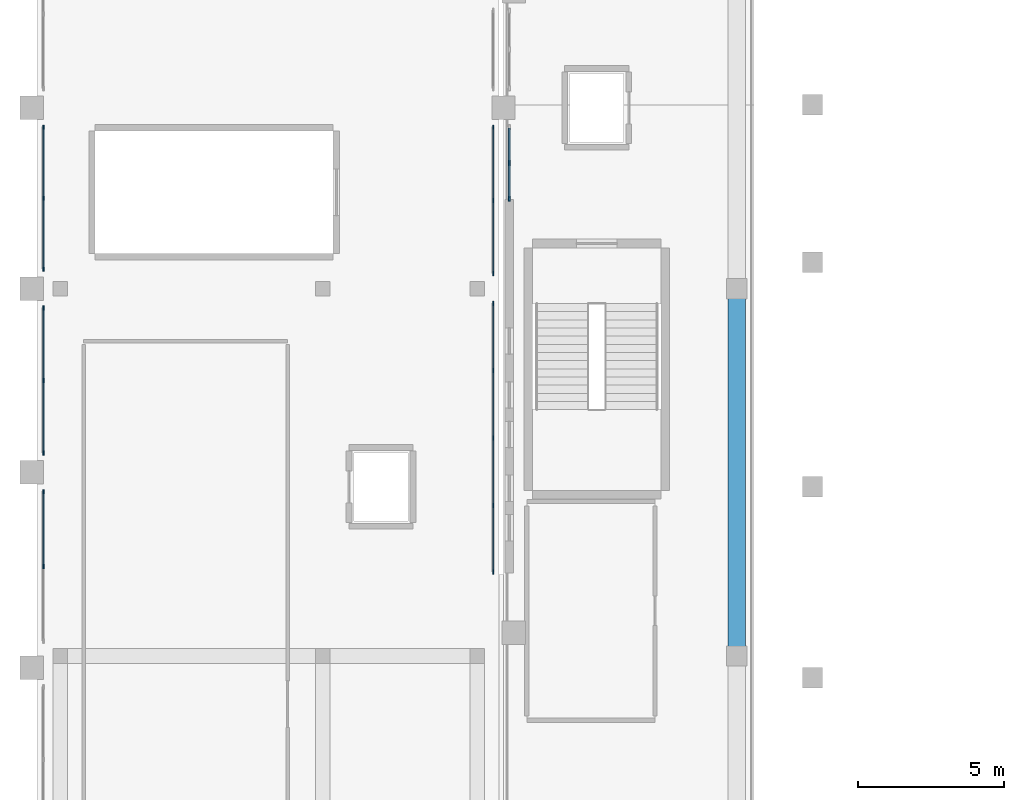
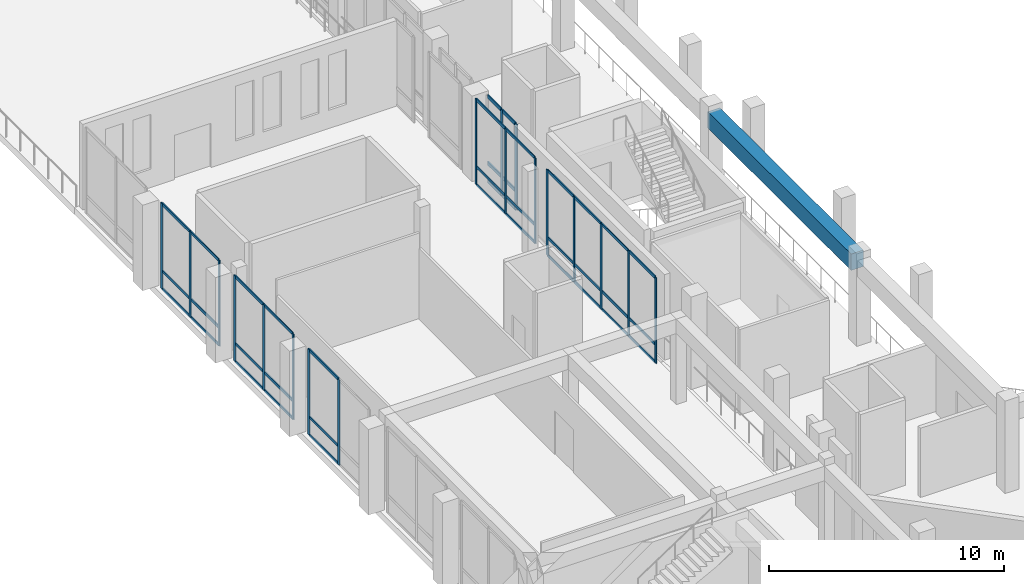
# One storey, part 12 of 79: 57 members, 1 beam, 6 elements without a shape of their own.
"""IFC4 building model written with IfcOpenShell, lengths in metres."""

from ifc_helpers import new_model, si_unit, derived_unit, direction, frame, origin, origin_2d, place, context, subcontext, project, spatial, rectangle, extrude, material, layer, layer_set, material_profile, profile_set, type_object, element, aggregate, save


model = new_model("IFC4")

# Units and contexts
model_context = context("Model", 3, precision=1e-05, world=origin(), true_north=direction((0.0, 1.0)))
body_context = subcontext(model_context, "Body", "Model", "MODEL_VIEW")
ifc_project = project(units=[si_unit("LENGTHUNIT", "METRE"), si_unit("AREAUNIT", "SQUARE_METRE"), si_unit("VOLUMEUNIT", "CUBIC_METRE"), si_unit("PLANEANGLEUNIT", "RADIAN"), si_unit("MASSUNIT", "GRAM", prefix="KILO"), derived_unit("THERMALTRANSMITTANCEUNIT", [(si_unit("MASSUNIT", "GRAM", prefix="KILO"), 1), (si_unit("TIMEUNIT", "SECOND"), -3), (si_unit("THERMODYNAMICTEMPERATUREUNIT", "KELVIN"), -1)])], contexts=[model_context])

# Site, building, storey
site_placement = place(None, origin())
site = spatial("IfcSite", under=ifc_project, at=site_placement, CompositionType="ELEMENT")
building_placement = place(site_placement, origin())
building = spatial("IfcBuilding", under=site, at=building_placement, Name="Valcora Ridge Arena", CompositionType="ELEMENT")
storey_placement = place(building_placement, frame((0.0, 0.0, 16.199951171875)))
storey = spatial("IfcBuildingStorey", under=building, at=storey_placement, Name="L03", CompositionType="ELEMENT", Elevation=16.199951171875)

# Beam
ifc_material_1 = material(Name="Concrete C40/50", Category="concrete")
ifc_material_profile_1 = material_profile(ifc_material_1, rectangle(XDim=0.60009765625, YDim=0.85009765625, at=origin_2d()), Name="RC 600x850")
ifc_profile_set_1 = profile_set([ifc_material_profile_1], Name="Concrete C40/50")
beam_type = type_object("IfcBeamType", Name="TY-BEAM-B-RC600-Y", PredefinedType="BEAM", material=ifc_profile_set_1)
beam_placement = place(storey_placement, frame((24.0, 45.39990234375, 4.01513671875), z_axis=(0.0, 1.0, 0.0), x_axis=(-1.0, 0.0, 0.0)))
element("IfcBeam", 1, at=beam_placement, inside=storey, type_object=beam_type, Name="B-RC600-Y BEM-B-RC600-Y-0022", PredefinedType="BEAM", context=body_context, shape_type="SweptSolid", body=[
    extrude(rectangle(XDim=0.60009765625, YDim=0.85009765625, at=origin_2d()), origin(), (0.0, 0.0, 1.0), 12.2001953125),
])

# Curtain wall, members
ifc_material_2 = material(Name="Anodised dark bronze architectural aluminium 6063-T6", Category="aluminium")
ifc_layer_1 = layer(ifc_material_2, 0.14990234375, Name="Anodised dark bronze architectural aluminium 6063-T6")
ifc_layer_set_1 = layer_set([ifc_layer_1], Name="Anodised dark bronze architectural aluminium 6063-T6")
curtain_wall_type_1 = type_object("IfcCurtainWallType", Name="TY-CURTAINWALL-CW-V4-CLUB-052X44", PredefinedType="NOTDEFINED", material=ifc_layer_set_1)
curtain_wall_1_placement = place(storey_placement, origin())
curtain_wall_1 = element("IfcCurtainWall", 2, at=curtain_wall_1_placement, inside=storey, type_object=curtain_wall_type_1, Name="CW-V4-CLUB-052X44 CW-0289", PredefinedType="NOTDEFINED")
ifc_material_profile_2 = material_profile(ifc_material_2, rectangle(XDim=0.050048828125, YDim=0.14990234375, at=origin_2d()), Name="ALU MULLION 50x150")
ifc_profile_set_2 = profile_set([ifc_material_profile_2], Name="Anodised dark bronze architectural aluminium 6063-T6")
member_type_1 = type_object("IfcMemberType", Name="TY-MEM-CWM-50x150", PredefinedType="MULLION", material=ifc_profile_set_2)
member_1_placement = place(storey_placement, frame((0.219970703125, 48.27490234375, 0.0), z_axis=(0.0, 0.0, 1.0), x_axis=(-1.0, 0.0, 0.0)))
member_1 = element("IfcMember", 3, at=member_1_placement, type_object=member_type_1, Name="CW-0289/CWM-50x150/M01", PredefinedType="MULLION", context=body_context, shape_type="SweptSolid", body=[
    extrude(rectangle(XDim=0.050048828125, YDim=0.14990234375, at=origin_2d()), origin(), (0.0, 0.0, 1.0), 4.43994140625),
])
member_2_placement = place(storey_placement, frame((0.219970703125, 50.8349609375, 0.0), z_axis=(0.0, 0.0, 1.0), x_axis=(-1.0, 0.0, 0.0)))
member_2 = element("IfcMember", 4, at=member_2_placement, type_object=member_type_1, Name="CW-0289/CWM-50x150/M02", PredefinedType="MULLION", context=body_context, shape_type="SweptSolid", body=[
    extrude(rectangle(XDim=0.050048828125, YDim=0.14990234375, at=origin_2d()), origin(), (0.0, 0.0, 1.0), 4.43994140625),
])

ifc_layer_2 = layer(ifc_material_2, 0.14990234375, Name="Anodised dark bronze architectural aluminium 6063-T6")
ifc_layer_set_2 = layer_set([ifc_layer_2], Name="Anodised dark bronze architectural aluminium 6063-T6")
curtain_wall_type_2 = type_object("IfcCurtainWallType", Name="TY-CURTAINWALL-CW-V4-CLUB-050X44", PredefinedType="NOTDEFINED", material=ifc_layer_set_2)
curtain_wall_2_placement = place(storey_placement, origin())
curtain_wall_2 = element("IfcCurtainWall", 5, at=curtain_wall_2_placement, inside=storey, type_object=curtain_wall_type_2, Name="CW-V4-CLUB-050X44 CW-0290", PredefinedType="NOTDEFINED")
member_3_placement = place(storey_placement, frame((0.219970703125, 52.1650390625, 0.0), z_axis=(0.0, 0.0, 1.0), x_axis=(-1.0, 0.0, 0.0)))
member_3 = element("IfcMember", 6, at=member_3_placement, type_object=member_type_1, Name="CW-0290/CWM-50x150/M00", PredefinedType="MULLION", context=body_context, shape_type="SweptSolid", body=[
    extrude(rectangle(XDim=0.050048828125, YDim=0.14990234375, at=origin_2d()), origin(), (0.0, 0.0, 1.0), 4.43994140625),
])
member_4_placement = place(storey_placement, frame((0.219970703125, 54.64990234375, 0.0), z_axis=(0.0, 0.0, 1.0), x_axis=(-1.0, 0.0, 0.0)))
member_4 = element("IfcMember", 7, at=member_4_placement, type_object=member_type_1, Name="CW-0290/CWM-50x150/M01", PredefinedType="MULLION", context=body_context, shape_type="SweptSolid", body=[
    extrude(rectangle(XDim=0.050048828125, YDim=0.14990234375, at=origin_2d()), origin(), (0.0, 0.0, 1.0), 4.43994140625),
])
member_5_placement = place(storey_placement, frame((0.219970703125, 57.135009765625, 0.0), z_axis=(0.0, 0.0, 1.0), x_axis=(-1.0, 0.0, 0.0)))
member_5 = element("IfcMember", 8, at=member_5_placement, type_object=member_type_1, Name="CW-0290/CWM-50x150/M02", PredefinedType="MULLION", context=body_context, shape_type="SweptSolid", body=[
    extrude(rectangle(XDim=0.050048828125, YDim=0.14990234375, at=origin_2d()), origin(), (0.0, 0.0, 1.0), 4.43994140625),
])

ifc_layer_3 = layer(ifc_material_2, 0.14990234375, Name="Anodised dark bronze architectural aluminium 6063-T6")
ifc_layer_set_3 = layer_set([ifc_layer_3], Name="Anodised dark bronze architectural aluminium 6063-T6")
curtain_wall_type_3 = type_object("IfcCurtainWallType", Name="TY-CURTAINWALL-CW-V4-CLUB-049X44", PredefinedType="NOTDEFINED", material=ifc_layer_set_3)
curtain_wall_3_placement = place(storey_placement, origin())
curtain_wall_3 = element("IfcCurtainWall", 9, at=curtain_wall_3_placement, inside=storey, type_object=curtain_wall_type_3, Name="CW-V4-CLUB-049X44 CW-0291", PredefinedType="NOTDEFINED")
member_6_placement = place(storey_placement, frame((0.219970703125, 58.465087890625, 0.0), z_axis=(0.0, 0.0, 1.0), x_axis=(-1.0, 0.0, 0.0)))
member_6 = element("IfcMember", 10, at=member_6_placement, type_object=member_type_1, Name="CW-0291/CWM-50x150/M00", PredefinedType="MULLION", context=body_context, shape_type="SweptSolid", body=[
    extrude(rectangle(XDim=0.050048828125, YDim=0.14990234375, at=origin_2d()), origin(), (0.0, 0.0, 1.0), 4.43994140625),
])
member_7_placement = place(storey_placement, frame((0.219970703125, 60.89990234375, 0.0), z_axis=(0.0, 0.0, 1.0), x_axis=(-1.0, 0.0, 0.0)))
member_7 = element("IfcMember", 11, at=member_7_placement, type_object=member_type_1, Name="CW-0291/CWM-50x150/M01", PredefinedType="MULLION", context=body_context, shape_type="SweptSolid", body=[
    extrude(rectangle(XDim=0.050048828125, YDim=0.14990234375, at=origin_2d()), origin(), (0.0, 0.0, 1.0), 4.43994140625),
])
member_8_placement = place(storey_placement, frame((0.219970703125, 63.3349609375, 0.0), z_axis=(0.0, 0.0, 1.0), x_axis=(-1.0, 0.0, 0.0)))
member_8 = element("IfcMember", 12, at=member_8_placement, type_object=member_type_1, Name="CW-0291/CWM-50x150/M02", PredefinedType="MULLION", context=body_context, shape_type="SweptSolid", body=[
    extrude(rectangle(XDim=0.050048828125, YDim=0.14990234375, at=origin_2d()), origin(), (0.0, 0.0, 1.0), 4.43994140625),
])

ifc_layer_4 = layer(ifc_material_2, 0.14990234375, Name="Anodised dark bronze architectural aluminium 6063-T6")
ifc_layer_set_4 = layer_set([ifc_layer_4], Name="Anodised dark bronze architectural aluminium 6063-T6")
curtain_wall_type_4 = type_object("IfcCurtainWallType", Name="TY-CURTAINWALL-CW-V4-CLUB-093X44", PredefinedType="NOTDEFINED", material=ifc_layer_set_4)
curtain_wall_4_placement = place(storey_placement, origin())
curtain_wall_4 = element("IfcCurtainWall", 13, at=curtain_wall_4_placement, inside=storey, type_object=curtain_wall_type_4, Name="CW-V4-CLUB-093X44 CW-0293", PredefinedType="NOTDEFINED")
member_9_placement = place(storey_placement, frame((15.64990234375, 48.074951171875, 0.0), z_axis=(0.0, 0.0, 1.0), x_axis=(-1.0, 0.0, 0.0)))
member_9 = element("IfcMember", 14, at=member_9_placement, type_object=member_type_1, Name="CW-0293/CWM-50x150/M00", PredefinedType="MULLION", context=body_context, shape_type="SweptSolid", body=[
    extrude(rectangle(XDim=0.050048828125, YDim=0.14990234375, at=origin_2d()), origin(), (0.0, 0.0, 1.0), 4.43994140625),
])
member_10_placement = place(storey_placement, frame((15.64990234375, 50.364990234375, 0.0), z_axis=(0.0, 0.0, 1.0), x_axis=(-1.0, 0.0, 0.0)))
member_10 = element("IfcMember", 15, at=member_10_placement, type_object=member_type_1, Name="CW-0293/CWM-50x150/M01", PredefinedType="MULLION", context=body_context, shape_type="SweptSolid", body=[
    extrude(rectangle(XDim=0.050048828125, YDim=0.14990234375, at=origin_2d()), origin(), (0.0, 0.0, 1.0), 4.43994140625),
])
member_11_placement = place(storey_placement, frame((15.64990234375, 52.679931640625, 0.0), z_axis=(0.0, 0.0, 1.0), x_axis=(-1.0, 0.0, 0.0)))
member_11 = element("IfcMember", 16, at=member_11_placement, type_object=member_type_1, Name="CW-0293/CWM-50x150/M02", PredefinedType="MULLION", context=body_context, shape_type="SweptSolid", body=[
    extrude(rectangle(XDim=0.050048828125, YDim=0.14990234375, at=origin_2d()), origin(), (0.0, 0.0, 1.0), 4.43994140625),
])
member_12_placement = place(storey_placement, frame((15.64990234375, 54.9951171875, 0.0), z_axis=(0.0, 0.0, 1.0), x_axis=(-1.0, 0.0, 0.0)))
member_12 = element("IfcMember", 17, at=member_12_placement, type_object=member_type_1, Name="CW-0293/CWM-50x150/M03", PredefinedType="MULLION", context=body_context, shape_type="SweptSolid", body=[
    extrude(rectangle(XDim=0.050048828125, YDim=0.14990234375, at=origin_2d()), origin(), (0.0, 0.0, 1.0), 4.43994140625),
])
member_13_placement = place(storey_placement, frame((15.64990234375, 57.284912109375, 0.0), z_axis=(0.0, 0.0, 1.0), x_axis=(-1.0, 0.0, 0.0)))
member_13 = element("IfcMember", 18, at=member_13_placement, type_object=member_type_1, Name="CW-0293/CWM-50x150/M04", PredefinedType="MULLION", context=body_context, shape_type="SweptSolid", body=[
    extrude(rectangle(XDim=0.050048828125, YDim=0.14990234375, at=origin_2d()), origin(), (0.0, 0.0, 1.0), 4.43994140625),
])

ifc_layer_5 = layer(ifc_material_2, 0.14990234375, Name="Anodised dark bronze architectural aluminium 6063-T6")
ifc_layer_set_5 = layer_set([ifc_layer_5], Name="Anodised dark bronze architectural aluminium 6063-T6")
curtain_wall_type_5 = type_object("IfcCurtainWallType", Name="TY-CURTAINWALL-CW-V4-CLUB-051X44", PredefinedType="NOTDEFINED", material=ifc_layer_set_5)
curtain_wall_5_placement = place(storey_placement, origin())
curtain_wall_5 = element("IfcCurtainWall", 19, at=curtain_wall_5_placement, inside=storey, type_object=curtain_wall_type_5, Name="CW-V4-CLUB-051X44 CW-0294", PredefinedType="NOTDEFINED")
member_14_placement = place(storey_placement, frame((15.64990234375, 58.31494140625, 0.0), z_axis=(0.0, 0.0, 1.0), x_axis=(-1.0, 0.0, 0.0)))
member_14 = element("IfcMember", 20, at=member_14_placement, type_object=member_type_1, Name="CW-0294/CWM-50x150/M00", PredefinedType="MULLION", context=body_context, shape_type="SweptSolid", body=[
    extrude(rectangle(XDim=0.050048828125, YDim=0.14990234375, at=origin_2d()), origin(), (0.0, 0.0, 1.0), 4.43994140625),
])
member_15_placement = place(storey_placement, frame((15.64990234375, 60.824951171875, 0.0), z_axis=(0.0, 0.0, 1.0), x_axis=(-1.0, 0.0, 0.0)))
member_15 = element("IfcMember", 21, at=member_15_placement, type_object=member_type_1, Name="CW-0294/CWM-50x150/M01", PredefinedType="MULLION", context=body_context, shape_type="SweptSolid", body=[
    extrude(rectangle(XDim=0.050048828125, YDim=0.14990234375, at=origin_2d()), origin(), (0.0, 0.0, 1.0), 4.43994140625),
])
member_16_placement = place(storey_placement, frame((15.64990234375, 63.3349609375, 0.0), z_axis=(0.0, 0.0, 1.0), x_axis=(-1.0, 0.0, 0.0)))
member_16 = element("IfcMember", 22, at=member_16_placement, type_object=member_type_1, Name="CW-0294/CWM-50x150/M02", PredefinedType="MULLION", context=body_context, shape_type="SweptSolid", body=[
    extrude(rectangle(XDim=0.050048828125, YDim=0.14990234375, at=origin_2d()), origin(), (0.0, 0.0, 1.0), 4.43994140625),
])

ifc_layer_6 = layer(ifc_material_2, 0.179931640625, Name="Anodised dark bronze architectural aluminium 6063-T6")
ifc_layer_set_6 = layer_set([ifc_layer_6], Name="Anodised dark bronze architectural aluminium 6063-T6")
curtain_wall_type_6 = type_object("IfcCurtainWallType", Name="TY-CURTAINWALL-CW-V1-GOTH-025X44", PredefinedType="NOTDEFINED", material=ifc_layer_set_6)
curtain_wall_6_placement = place(storey_placement, origin())
curtain_wall_6 = element("IfcCurtainWall", 23, at=curtain_wall_6_placement, inside=storey, type_object=curtain_wall_type_6, Name="CW-V1-GOTH-025X44 CW-0131", PredefinedType="NOTDEFINED")
ifc_material_profile_3 = material_profile(ifc_material_2, rectangle(XDim=0.06005859375, YDim=0.179931640625, at=origin_2d()), Name="ALU MULLION 60x180")
ifc_profile_set_3 = profile_set([ifc_material_profile_3], Name="Anodised dark bronze architectural aluminium 6063-T6")
member_type_2 = type_object("IfcMemberType", Name="TY-MEM-CWM-60x180", PredefinedType="MULLION", material=ifc_profile_set_3)
member_17_placement = place(storey_placement, frame((16.199951171875, 60.8798828125, 0.0), z_axis=(0.0, 0.0, 1.0), x_axis=(-1.0, 0.0, 0.0)))
member_17 = element("IfcMember", 24, at=member_17_placement, type_object=member_type_2, Name="CW-0131/CWM-60x180/M00", PredefinedType="MULLION", context=body_context, shape_type="SweptSolid", body=[
    extrude(rectangle(XDim=0.06005859375, YDim=0.179931640625, at=origin_2d()), origin(), (0.0, 0.0, 1.0), 4.43994140625),
])
member_18_placement = place(storey_placement, frame((16.199951171875, 62.10498046875, 0.0), z_axis=(0.0, 0.0, 1.0), x_axis=(-1.0, 0.0, 0.0)))
member_18 = element("IfcMember", 25, at=member_18_placement, type_object=member_type_2, Name="CW-0131/CWM-60x180/M01", PredefinedType="MULLION", context=body_context, shape_type="SweptSolid", body=[
    extrude(rectangle(XDim=0.06005859375, YDim=0.179931640625, at=origin_2d()), origin(), (0.0, 0.0, 1.0), 4.43994140625),
])

# Member
ifc_material_profile_4 = material_profile(ifc_material_2, rectangle(XDim=0.050048828125, YDim=0.14990234375, at=origin_2d()), Name="ALU TRANSOM 50x150")
ifc_profile_set_4 = profile_set([ifc_material_profile_4], Name="Anodised dark bronze architectural aluminium 6063-T6")
member_type_3 = type_object("IfcMemberType", Name="TY-MEM-CWT-50x150", PredefinedType="USERDEFINED", material=ifc_profile_set_4)
member_19_placement = place(storey_placement, frame((0.219970703125, 48.300048828125, 0.025146484375), z_axis=(0.0, 1.0, 0.0), x_axis=(-1.0, 0.0, 0.0)))
member_19 = element("IfcMember", 26, at=member_19_placement, type_object=member_type_3, Name="CW-0289/CWT-50x150/T01-00", ObjectType="TRANSOM", PredefinedType="USERDEFINED", context=body_context, shape_type="SweptSolid", body=[
    extrude(rectangle(XDim=0.050048828125, YDim=0.14990234375, at=origin_2d()), origin(), (0.0, 0.0, 1.0), 2.510009765625),
])

member_20_placement = place(storey_placement, frame((0.219970703125, 48.300048828125, 0.949951171875), z_axis=(0.0, 1.0, 0.0), x_axis=(-1.0, 0.0, 0.0)))
member_20 = element("IfcMember", 27, at=member_20_placement, type_object=member_type_3, Name="CW-0289/CWT-50x150/T01-01", ObjectType="TRANSOM", PredefinedType="USERDEFINED", context=body_context, shape_type="SweptSolid", body=[
    extrude(rectangle(XDim=0.050048828125, YDim=0.14990234375, at=origin_2d()), origin(), (0.0, 0.0, 1.0), 2.510009765625),
])

member_21_placement = place(storey_placement, frame((0.219970703125, 48.300048828125, 4.4150390625), z_axis=(0.0, 1.0, 0.0), x_axis=(-1.0, 0.0, 0.0)))
member_21 = element("IfcMember", 28, at=member_21_placement, type_object=member_type_3, Name="CW-0289/CWT-50x150/T01-02", ObjectType="TRANSOM", PredefinedType="USERDEFINED", context=body_context, shape_type="SweptSolid", body=[
    extrude(rectangle(XDim=0.050048828125, YDim=0.14990234375, at=origin_2d()), origin(), (0.0, 0.0, 1.0), 2.510009765625),
])

aggregate(curtain_wall_1, [member_1, member_2, member_19, member_20, member_21])

member_22_placement = place(storey_placement, frame((0.219970703125, 52.18994140625, 0.025146484375), z_axis=(0.0, 1.0, 0.0), x_axis=(-1.0, 0.0, 0.0)))
member_22 = element("IfcMember", 29, at=member_22_placement, type_object=member_type_3, Name="CW-0290/CWT-50x150/T00-00", ObjectType="TRANSOM", PredefinedType="USERDEFINED", context=body_context, shape_type="SweptSolid", body=[
    extrude(rectangle(XDim=0.050048828125, YDim=0.14990234375, at=origin_2d()), origin(), (0.0, 0.0, 1.0), 2.43505859375),
])

member_23_placement = place(storey_placement, frame((0.219970703125, 52.18994140625, 0.949951171875), z_axis=(0.0, 1.0, 0.0), x_axis=(-1.0, 0.0, 0.0)))
member_23 = element("IfcMember", 30, at=member_23_placement, type_object=member_type_3, Name="CW-0290/CWT-50x150/T00-01", ObjectType="TRANSOM", PredefinedType="USERDEFINED", context=body_context, shape_type="SweptSolid", body=[
    extrude(rectangle(XDim=0.050048828125, YDim=0.14990234375, at=origin_2d()), origin(), (0.0, 0.0, 1.0), 2.43505859375),
])

member_24_placement = place(storey_placement, frame((0.219970703125, 52.18994140625, 4.4150390625), z_axis=(0.0, 1.0, 0.0), x_axis=(-1.0, 0.0, 0.0)))
member_24 = element("IfcMember", 31, at=member_24_placement, type_object=member_type_3, Name="CW-0290/CWT-50x150/T00-02", ObjectType="TRANSOM", PredefinedType="USERDEFINED", context=body_context, shape_type="SweptSolid", body=[
    extrude(rectangle(XDim=0.050048828125, YDim=0.14990234375, at=origin_2d()), origin(), (0.0, 0.0, 1.0), 2.43505859375),
])

member_25_placement = place(storey_placement, frame((0.219970703125, 54.675048828125, 0.025146484375), z_axis=(0.0, 1.0, 0.0), x_axis=(-1.0, 0.0, 0.0)))
member_25 = element("IfcMember", 32, at=member_25_placement, type_object=member_type_3, Name="CW-0290/CWT-50x150/T01-00", ObjectType="TRANSOM", PredefinedType="USERDEFINED", context=body_context, shape_type="SweptSolid", body=[
    extrude(rectangle(XDim=0.050048828125, YDim=0.14990234375, at=origin_2d()), origin(), (0.0, 0.0, 1.0), 2.43505859375),
])

member_26_placement = place(storey_placement, frame((0.219970703125, 54.675048828125, 0.949951171875), z_axis=(0.0, 1.0, 0.0), x_axis=(-1.0, 0.0, 0.0)))
member_26 = element("IfcMember", 33, at=member_26_placement, type_object=member_type_3, Name="CW-0290/CWT-50x150/T01-01", ObjectType="TRANSOM", PredefinedType="USERDEFINED", context=body_context, shape_type="SweptSolid", body=[
    extrude(rectangle(XDim=0.050048828125, YDim=0.14990234375, at=origin_2d()), origin(), (0.0, 0.0, 1.0), 2.43505859375),
])

member_27_placement = place(storey_placement, frame((0.219970703125, 54.675048828125, 4.4150390625), z_axis=(0.0, 1.0, 0.0), x_axis=(-1.0, 0.0, 0.0)))
member_27 = element("IfcMember", 34, at=member_27_placement, type_object=member_type_3, Name="CW-0290/CWT-50x150/T01-02", ObjectType="TRANSOM", PredefinedType="USERDEFINED", context=body_context, shape_type="SweptSolid", body=[
    extrude(rectangle(XDim=0.050048828125, YDim=0.14990234375, at=origin_2d()), origin(), (0.0, 0.0, 1.0), 2.43505859375),
])

aggregate(curtain_wall_2, [member_3, member_4, member_5, member_22, member_23, member_24, member_25, member_26, member_27])

member_28_placement = place(storey_placement, frame((0.219970703125, 58.489990234375, 0.025146484375), z_axis=(0.0, 1.0, 0.0), x_axis=(-1.0, 0.0, 0.0)))
member_28 = element("IfcMember", 35, at=member_28_placement, type_object=member_type_3, Name="CW-0291/CWT-50x150/T00-00", ObjectType="TRANSOM", PredefinedType="USERDEFINED", context=body_context, shape_type="SweptSolid", body=[
    extrude(rectangle(XDim=0.050048828125, YDim=0.14990234375, at=origin_2d()), origin(), (0.0, 0.0, 1.0), 2.385009765625),
])

member_29_placement = place(storey_placement, frame((0.219970703125, 58.489990234375, 0.949951171875), z_axis=(0.0, 1.0, 0.0), x_axis=(-1.0, 0.0, 0.0)))
member_29 = element("IfcMember", 36, at=member_29_placement, type_object=member_type_3, Name="CW-0291/CWT-50x150/T00-01", ObjectType="TRANSOM", PredefinedType="USERDEFINED", context=body_context, shape_type="SweptSolid", body=[
    extrude(rectangle(XDim=0.050048828125, YDim=0.14990234375, at=origin_2d()), origin(), (0.0, 0.0, 1.0), 2.385009765625),
])

member_30_placement = place(storey_placement, frame((0.219970703125, 58.489990234375, 4.4150390625), z_axis=(0.0, 1.0, 0.0), x_axis=(-1.0, 0.0, 0.0)))
member_30 = element("IfcMember", 37, at=member_30_placement, type_object=member_type_3, Name="CW-0291/CWT-50x150/T00-02", ObjectType="TRANSOM", PredefinedType="USERDEFINED", context=body_context, shape_type="SweptSolid", body=[
    extrude(rectangle(XDim=0.050048828125, YDim=0.14990234375, at=origin_2d()), origin(), (0.0, 0.0, 1.0), 2.385009765625),
])

member_31_placement = place(storey_placement, frame((0.219970703125, 60.925048828125, 0.025146484375), z_axis=(0.0, 1.0, 0.0), x_axis=(-1.0, 0.0, 0.0)))
member_31 = element("IfcMember", 38, at=member_31_placement, type_object=member_type_3, Name="CW-0291/CWT-50x150/T01-00", ObjectType="TRANSOM", PredefinedType="USERDEFINED", context=body_context, shape_type="SweptSolid", body=[
    extrude(rectangle(XDim=0.050048828125, YDim=0.14990234375, at=origin_2d()), origin(), (0.0, 0.0, 1.0), 2.385009765625),
])

member_32_placement = place(storey_placement, frame((0.219970703125, 60.925048828125, 0.949951171875), z_axis=(0.0, 1.0, 0.0), x_axis=(-1.0, 0.0, 0.0)))
member_32 = element("IfcMember", 39, at=member_32_placement, type_object=member_type_3, Name="CW-0291/CWT-50x150/T01-01", ObjectType="TRANSOM", PredefinedType="USERDEFINED", context=body_context, shape_type="SweptSolid", body=[
    extrude(rectangle(XDim=0.050048828125, YDim=0.14990234375, at=origin_2d()), origin(), (0.0, 0.0, 1.0), 2.385009765625),
])

member_33_placement = place(storey_placement, frame((0.219970703125, 60.925048828125, 4.4150390625), z_axis=(0.0, 1.0, 0.0), x_axis=(-1.0, 0.0, 0.0)))
member_33 = element("IfcMember", 40, at=member_33_placement, type_object=member_type_3, Name="CW-0291/CWT-50x150/T01-02", ObjectType="TRANSOM", PredefinedType="USERDEFINED", context=body_context, shape_type="SweptSolid", body=[
    extrude(rectangle(XDim=0.050048828125, YDim=0.14990234375, at=origin_2d()), origin(), (0.0, 0.0, 1.0), 2.385009765625),
])

aggregate(curtain_wall_3, [member_6, member_7, member_8, member_28, member_29, member_30, member_31, member_32, member_33])

member_34_placement = place(storey_placement, frame((15.64990234375, 48.10009765625, 0.025146484375), z_axis=(0.0, 1.0, 0.0), x_axis=(-1.0, 0.0, 0.0)))
member_34 = element("IfcMember", 41, at=member_34_placement, type_object=member_type_3, Name="CW-0293/CWT-50x150/T00-00", ObjectType="TRANSOM", PredefinedType="USERDEFINED", context=body_context, shape_type="SweptSolid", body=[
    extrude(rectangle(XDim=0.050048828125, YDim=0.14990234375, at=origin_2d()), origin(), (0.0, 0.0, 1.0), 2.239990234375),
])

member_35_placement = place(storey_placement, frame((15.64990234375, 48.10009765625, 0.949951171875), z_axis=(0.0, 1.0, 0.0), x_axis=(-1.0, 0.0, 0.0)))
member_35 = element("IfcMember", 42, at=member_35_placement, type_object=member_type_3, Name="CW-0293/CWT-50x150/T00-01", ObjectType="TRANSOM", PredefinedType="USERDEFINED", context=body_context, shape_type="SweptSolid", body=[
    extrude(rectangle(XDim=0.050048828125, YDim=0.14990234375, at=origin_2d()), origin(), (0.0, 0.0, 1.0), 2.239990234375),
])

member_36_placement = place(storey_placement, frame((15.64990234375, 48.10009765625, 4.4150390625), z_axis=(0.0, 1.0, 0.0), x_axis=(-1.0, 0.0, 0.0)))
member_36 = element("IfcMember", 43, at=member_36_placement, type_object=member_type_3, Name="CW-0293/CWT-50x150/T00-02", ObjectType="TRANSOM", PredefinedType="USERDEFINED", context=body_context, shape_type="SweptSolid", body=[
    extrude(rectangle(XDim=0.050048828125, YDim=0.14990234375, at=origin_2d()), origin(), (0.0, 0.0, 1.0), 2.239990234375),
])

member_37_placement = place(storey_placement, frame((15.64990234375, 50.389892578125, 0.025146484375), z_axis=(0.0, 1.0, 0.0), x_axis=(-1.0, 0.0, 0.0)))
member_37 = element("IfcMember", 44, at=member_37_placement, type_object=member_type_3, Name="CW-0293/CWT-50x150/T01-00", ObjectType="TRANSOM", PredefinedType="USERDEFINED", context=body_context, shape_type="SweptSolid", body=[
    extrude(rectangle(XDim=0.050048828125, YDim=0.14990234375, at=origin_2d()), origin(), (0.0, 0.0, 1.0), 2.26513671875),
])

member_38_placement = place(storey_placement, frame((15.64990234375, 50.389892578125, 0.949951171875), z_axis=(0.0, 1.0, 0.0), x_axis=(-1.0, 0.0, 0.0)))
member_38 = element("IfcMember", 45, at=member_38_placement, type_object=member_type_3, Name="CW-0293/CWT-50x150/T01-01", ObjectType="TRANSOM", PredefinedType="USERDEFINED", context=body_context, shape_type="SweptSolid", body=[
    extrude(rectangle(XDim=0.050048828125, YDim=0.14990234375, at=origin_2d()), origin(), (0.0, 0.0, 1.0), 2.26513671875),
])

member_39_placement = place(storey_placement, frame((15.64990234375, 50.389892578125, 4.4150390625), z_axis=(0.0, 1.0, 0.0), x_axis=(-1.0, 0.0, 0.0)))
member_39 = element("IfcMember", 46, at=member_39_placement, type_object=member_type_3, Name="CW-0293/CWT-50x150/T01-02", ObjectType="TRANSOM", PredefinedType="USERDEFINED", context=body_context, shape_type="SweptSolid", body=[
    extrude(rectangle(XDim=0.050048828125, YDim=0.14990234375, at=origin_2d()), origin(), (0.0, 0.0, 1.0), 2.26513671875),
])

member_40_placement = place(storey_placement, frame((15.64990234375, 52.705078125, 0.025146484375), z_axis=(0.0, 1.0, 0.0), x_axis=(-1.0, 0.0, 0.0)))
member_40 = element("IfcMember", 47, at=member_40_placement, type_object=member_type_3, Name="CW-0293/CWT-50x150/T02-00", ObjectType="TRANSOM", PredefinedType="USERDEFINED", context=body_context, shape_type="SweptSolid", body=[
    extrude(rectangle(XDim=0.050048828125, YDim=0.14990234375, at=origin_2d()), origin(), (0.0, 0.0, 1.0), 2.264892578125),
])

member_41_placement = place(storey_placement, frame((15.64990234375, 52.705078125, 0.949951171875), z_axis=(0.0, 1.0, 0.0), x_axis=(-1.0, 0.0, 0.0)))
member_41 = element("IfcMember", 48, at=member_41_placement, type_object=member_type_3, Name="CW-0293/CWT-50x150/T02-01", ObjectType="TRANSOM", PredefinedType="USERDEFINED", context=body_context, shape_type="SweptSolid", body=[
    extrude(rectangle(XDim=0.050048828125, YDim=0.14990234375, at=origin_2d()), origin(), (0.0, 0.0, 1.0), 2.264892578125),
])

member_42_placement = place(storey_placement, frame((15.64990234375, 52.705078125, 4.4150390625), z_axis=(0.0, 1.0, 0.0), x_axis=(-1.0, 0.0, 0.0)))
member_42 = element("IfcMember", 49, at=member_42_placement, type_object=member_type_3, Name="CW-0293/CWT-50x150/T02-02", ObjectType="TRANSOM", PredefinedType="USERDEFINED", context=body_context, shape_type="SweptSolid", body=[
    extrude(rectangle(XDim=0.050048828125, YDim=0.14990234375, at=origin_2d()), origin(), (0.0, 0.0, 1.0), 2.264892578125),
])

member_43_placement = place(storey_placement, frame((15.64990234375, 55.02001953125, 0.025146484375), z_axis=(0.0, 1.0, 0.0), x_axis=(-1.0, 0.0, 0.0)))
member_43 = element("IfcMember", 50, at=member_43_placement, type_object=member_type_3, Name="CW-0293/CWT-50x150/T03-00", ObjectType="TRANSOM", PredefinedType="USERDEFINED", context=body_context, shape_type="SweptSolid", body=[
    extrude(rectangle(XDim=0.050048828125, YDim=0.14990234375, at=origin_2d()), origin(), (0.0, 0.0, 1.0), 2.239990234375),
])

member_44_placement = place(storey_placement, frame((15.64990234375, 55.02001953125, 0.949951171875), z_axis=(0.0, 1.0, 0.0), x_axis=(-1.0, 0.0, 0.0)))
member_44 = element("IfcMember", 51, at=member_44_placement, type_object=member_type_3, Name="CW-0293/CWT-50x150/T03-01", ObjectType="TRANSOM", PredefinedType="USERDEFINED", context=body_context, shape_type="SweptSolid", body=[
    extrude(rectangle(XDim=0.050048828125, YDim=0.14990234375, at=origin_2d()), origin(), (0.0, 0.0, 1.0), 2.239990234375),
])

member_45_placement = place(storey_placement, frame((15.64990234375, 55.02001953125, 4.4150390625), z_axis=(0.0, 1.0, 0.0), x_axis=(-1.0, 0.0, 0.0)))
member_45 = element("IfcMember", 52, at=member_45_placement, type_object=member_type_3, Name="CW-0293/CWT-50x150/T03-02", ObjectType="TRANSOM", PredefinedType="USERDEFINED", context=body_context, shape_type="SweptSolid", body=[
    extrude(rectangle(XDim=0.050048828125, YDim=0.14990234375, at=origin_2d()), origin(), (0.0, 0.0, 1.0), 2.239990234375),
])

aggregate(curtain_wall_4, [member_9, member_10, member_11, member_12, member_13, member_34, member_35, member_36, member_37, member_38, member_39, member_40, member_41, member_42, member_43, member_44, member_45])

member_46_placement = place(storey_placement, frame((15.64990234375, 58.340087890625, 0.025146484375), z_axis=(0.0, 1.0, 0.0), x_axis=(-1.0, 0.0, 0.0)))
member_46 = element("IfcMember", 53, at=member_46_placement, type_object=member_type_3, Name="CW-0294/CWT-50x150/T00-00", ObjectType="TRANSOM", PredefinedType="USERDEFINED", context=body_context, shape_type="SweptSolid", body=[
    extrude(rectangle(XDim=0.050048828125, YDim=0.14990234375, at=origin_2d()), origin(), (0.0, 0.0, 1.0), 2.4599609375),
])

member_47_placement = place(storey_placement, frame((15.64990234375, 58.340087890625, 0.949951171875), z_axis=(0.0, 1.0, 0.0), x_axis=(-1.0, 0.0, 0.0)))
member_47 = element("IfcMember", 54, at=member_47_placement, type_object=member_type_3, Name="CW-0294/CWT-50x150/T00-01", ObjectType="TRANSOM", PredefinedType="USERDEFINED", context=body_context, shape_type="SweptSolid", body=[
    extrude(rectangle(XDim=0.050048828125, YDim=0.14990234375, at=origin_2d()), origin(), (0.0, 0.0, 1.0), 2.4599609375),
])

member_48_placement = place(storey_placement, frame((15.64990234375, 58.340087890625, 4.4150390625), z_axis=(0.0, 1.0, 0.0), x_axis=(-1.0, 0.0, 0.0)))
member_48 = element("IfcMember", 55, at=member_48_placement, type_object=member_type_3, Name="CW-0294/CWT-50x150/T00-02", ObjectType="TRANSOM", PredefinedType="USERDEFINED", context=body_context, shape_type="SweptSolid", body=[
    extrude(rectangle(XDim=0.050048828125, YDim=0.14990234375, at=origin_2d()), origin(), (0.0, 0.0, 1.0), 2.4599609375),
])

member_49_placement = place(storey_placement, frame((15.64990234375, 60.85009765625, 0.025146484375), z_axis=(0.0, 1.0, 0.0), x_axis=(-1.0, 0.0, 0.0)))
member_49 = element("IfcMember", 56, at=member_49_placement, type_object=member_type_3, Name="CW-0294/CWT-50x150/T01-00", ObjectType="TRANSOM", PredefinedType="USERDEFINED", context=body_context, shape_type="SweptSolid", body=[
    extrude(rectangle(XDim=0.050048828125, YDim=0.14990234375, at=origin_2d()), origin(), (0.0, 0.0, 1.0), 2.4599609375),
])

member_50_placement = place(storey_placement, frame((15.64990234375, 60.85009765625, 0.949951171875), z_axis=(0.0, 1.0, 0.0), x_axis=(-1.0, 0.0, 0.0)))
member_50 = element("IfcMember", 57, at=member_50_placement, type_object=member_type_3, Name="CW-0294/CWT-50x150/T01-01", ObjectType="TRANSOM", PredefinedType="USERDEFINED", context=body_context, shape_type="SweptSolid", body=[
    extrude(rectangle(XDim=0.050048828125, YDim=0.14990234375, at=origin_2d()), origin(), (0.0, 0.0, 1.0), 2.4599609375),
])

member_51_placement = place(storey_placement, frame((15.64990234375, 60.85009765625, 4.4150390625), z_axis=(0.0, 1.0, 0.0), x_axis=(-1.0, 0.0, 0.0)))
member_51 = element("IfcMember", 58, at=member_51_placement, type_object=member_type_3, Name="CW-0294/CWT-50x150/T01-02", ObjectType="TRANSOM", PredefinedType="USERDEFINED", context=body_context, shape_type="SweptSolid", body=[
    extrude(rectangle(XDim=0.050048828125, YDim=0.14990234375, at=origin_2d()), origin(), (0.0, 0.0, 1.0), 2.4599609375),
])

aggregate(curtain_wall_5, [member_14, member_15, member_16, member_46, member_47, member_48, member_49, member_50, member_51])

ifc_material_profile_5 = material_profile(ifc_material_2, rectangle(XDim=0.06005859375, YDim=0.179931640625, at=origin_2d()), Name="ALU TRANSOM 60x180")
ifc_profile_set_5 = profile_set([ifc_material_profile_5], Name="Anodised dark bronze architectural aluminium 6063-T6")
member_type_4 = type_object("IfcMemberType", Name="TY-MEM-CWT-60x180", PredefinedType="USERDEFINED", material=ifc_profile_set_5)
member_52_placement = place(storey_placement, frame((16.199951171875, 60.909912109375, 0.030029296875), z_axis=(0.0, 1.0, 0.0), x_axis=(-1.0, 0.0, 0.0)))
member_52 = element("IfcMember", 59, at=member_52_placement, type_object=member_type_4, Name="CW-0131/CWT-60x180/T00-00", ObjectType="TRANSOM", PredefinedType="USERDEFINED", context=body_context, shape_type="SweptSolid", body=[
    extrude(rectangle(XDim=0.06005859375, YDim=0.179931640625, at=origin_2d()), origin(), (0.0, 0.0, 1.0), 1.1650390625),
])

member_53_placement = place(storey_placement, frame((16.199951171875, 60.909912109375, 0.949951171875), z_axis=(0.0, 1.0, 0.0), x_axis=(-1.0, 0.0, 0.0)))
member_53 = element("IfcMember", 60, at=member_53_placement, type_object=member_type_4, Name="CW-0131/CWT-60x180/T00-01", ObjectType="TRANSOM", PredefinedType="USERDEFINED", context=body_context, shape_type="SweptSolid", body=[
    extrude(rectangle(XDim=0.06005859375, YDim=0.179931640625, at=origin_2d()), origin(), (0.0, 0.0, 1.0), 1.1650390625),
])

member_54_placement = place(storey_placement, frame((16.199951171875, 60.909912109375, 4.41015625), z_axis=(0.0, 1.0, 0.0), x_axis=(-1.0, 0.0, 0.0)))
member_54 = element("IfcMember", 61, at=member_54_placement, type_object=member_type_4, Name="CW-0131/CWT-60x180/T00-02", ObjectType="TRANSOM", PredefinedType="USERDEFINED", context=body_context, shape_type="SweptSolid", body=[
    extrude(rectangle(XDim=0.06005859375, YDim=0.179931640625, at=origin_2d()), origin(), (0.0, 0.0, 1.0), 1.1650390625),
])

member_55_placement = place(storey_placement, frame((16.199951171875, 62.135009765625, 0.030029296875), z_axis=(0.0, 1.0, 0.0), x_axis=(-1.0, 0.0, 0.0)))
member_55 = element("IfcMember", 62, at=member_55_placement, type_object=member_type_4, Name="CW-0131/CWT-60x180/T01-00", ObjectType="TRANSOM", PredefinedType="USERDEFINED", context=body_context, shape_type="SweptSolid", body=[
    extrude(rectangle(XDim=0.06005859375, YDim=0.179931640625, at=origin_2d()), origin(), (0.0, 0.0, 1.0), 1.1650390625),
])

member_56_placement = place(storey_placement, frame((16.199951171875, 62.135009765625, 0.949951171875), z_axis=(0.0, 1.0, 0.0), x_axis=(-1.0, 0.0, 0.0)))
member_56 = element("IfcMember", 63, at=member_56_placement, type_object=member_type_4, Name="CW-0131/CWT-60x180/T01-01", ObjectType="TRANSOM", PredefinedType="USERDEFINED", context=body_context, shape_type="SweptSolid", body=[
    extrude(rectangle(XDim=0.06005859375, YDim=0.179931640625, at=origin_2d()), origin(), (0.0, 0.0, 1.0), 1.1650390625),
])

member_57_placement = place(storey_placement, frame((16.199951171875, 62.135009765625, 4.41015625), z_axis=(0.0, 1.0, 0.0), x_axis=(-1.0, 0.0, 0.0)))
member_57 = element("IfcMember", 64, at=member_57_placement, type_object=member_type_4, Name="CW-0131/CWT-60x180/T01-02", ObjectType="TRANSOM", PredefinedType="USERDEFINED", context=body_context, shape_type="SweptSolid", body=[
    extrude(rectangle(XDim=0.06005859375, YDim=0.179931640625, at=origin_2d()), origin(), (0.0, 0.0, 1.0), 1.1650390625),
])

aggregate(curtain_wall_6, [member_17, member_18, member_52, member_53, member_54, member_55, member_56, member_57])

save(model, "model.ifc")
